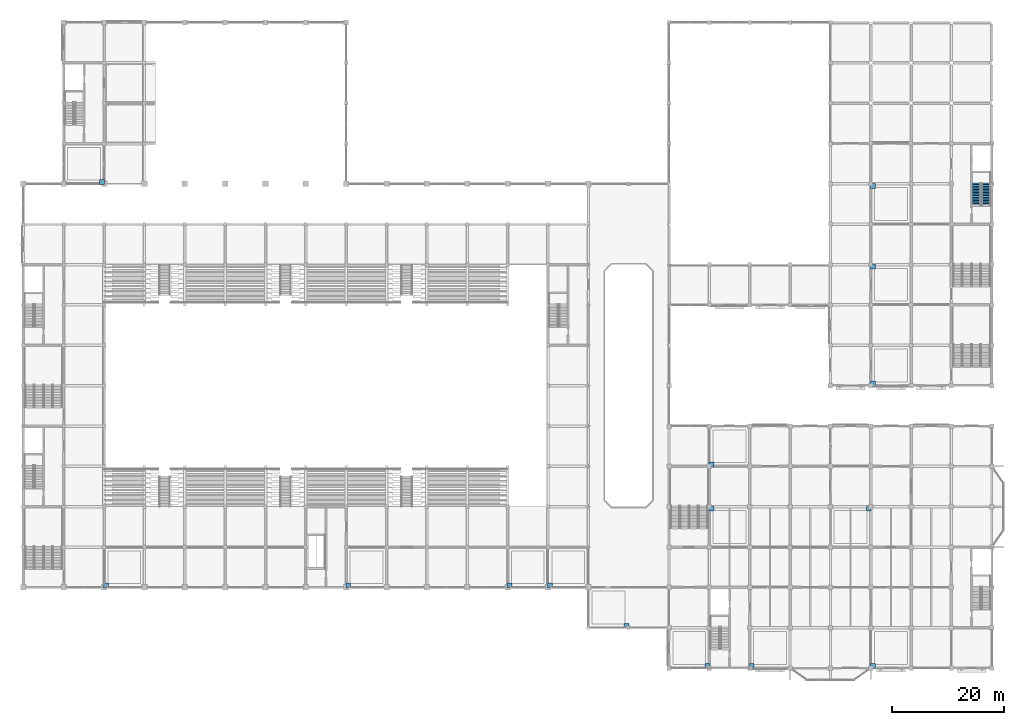
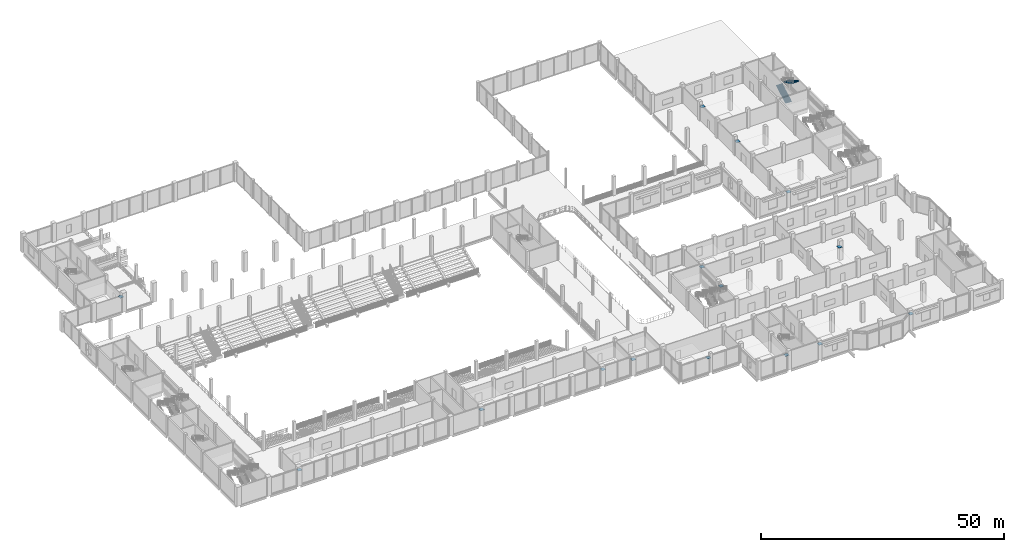
# One storey, part 74 of 99: 15 discrete accessories, 2 stair flights, 1 element without a shape of its own.
"""IFC4 building model written with IfcOpenShell, lengths in metres."""

from ifc_helpers import new_model, si_unit, direction, frame, origin, origin_2d, place, context, subcontext, project, spatial, polyline, rectangle, outline, extrude, material, type_object, element, aggregate, save


model = new_model("IFC4")

# Units and contexts
model_context = context("Model", 3, precision=1e-05, world=origin(), true_north=direction((0.0, 1.0)))
body_context = subcontext(model_context, "Body", "Model", "MODEL_VIEW")
ifc_project = project(units=[si_unit("LENGTHUNIT", "METRE"), si_unit("AREAUNIT", "SQUARE_METRE"), si_unit("VOLUMEUNIT", "CUBIC_METRE"), si_unit("PLANEANGLEUNIT", "RADIAN"), si_unit("MASSUNIT", "GRAM", prefix="KILO")], contexts=[model_context])

# Site, building, storey
site_placement = place(None, origin())
site = spatial("IfcSite", under=ifc_project, at=site_placement, CompositionType="ELEMENT")
building_placement = place(site_placement, origin())
building = spatial("IfcBuilding", under=site, at=building_placement, Name="Vesperath Aquatics Centre", CompositionType="ELEMENT")
storey_placement = place(building_placement, frame((0.0, 0.0, 5.39990234375)))
storey = spatial("IfcBuildingStorey", under=building, at=storey_placement, Name="L01", CompositionType="ELEMENT", Elevation=5.39990234375)

# Stair, stair flights
ifc_material_1 = material(Name="Concrete C35", Category="concrete")
stair_type = type_object("IfcStairType", Name="ST-HT48", PredefinedType="HALF_TURN_STAIR", material=ifc_material_1)
stair_placement = place(storey_placement, origin())
stair = element("IfcStair", 1, at=stair_placement, inside=storey, type_object=stair_type, Name="Enclosed Exit Stair ST4 L01", PredefinedType="HALF_TURN_STAIR")
stair_flight_type = type_object("IfcStairFlightType", Name="SF-F48", PredefinedType="STRAIGHT", material=ifc_material_1)
stair_flight_1_placement = place(storey_placement, frame((170.070068359375, 82.6201171875, 0.0), z_axis=(0.0, 0.0, 1.0), x_axis=(0.0, 1.0, 0.0)))
stair_flight_1 = element("IfcStairFlight", 2, at=stair_flight_1_placement, type_object=stair_flight_type, Name="Stair ST4 Flight 1 L01", NumberOfRisers=15, NumberOfTreads=14, PredefinedType="STRAIGHT", RiserHeight=0.16, TreadLength=0.28, context=body_context, shape_type="SweptSolid", body=[
    extrude(outline(polyline([(0.0, 0.0), (0.0, 0.159912109375), (0.280029296875, 0.159912109375), (0.280029296875, 0.320068359375), (0.56005859375, 0.320068359375), (0.56005859375, 0.47998046875), (0.840087890625, 0.47998046875), (0.840087890625, 0.639892578125), (1.1201171875, 0.639892578125), (1.1201171875, 0.800048828125), (1.39990234375, 0.800048828125), (1.39990234375, 0.9599609375), (1.679931640625, 0.9599609375), (1.679931640625, 1.1201171875), (1.9599609375, 1.1201171875), (1.9599609375, 1.280029296875), (2.239990234375, 1.280029296875), (2.239990234375, 1.43994140625), (2.52001953125, 1.43994140625), (2.52001953125, 1.60009765625), (2.800048828125, 1.60009765625), (2.800048828125, 1.760009765625), (3.080078125, 1.760009765625), (3.080078125, 1.919921875), (3.360107421875, 1.919921875), (3.360107421875, 2.080078125), (3.639892578125, 2.080078125), (3.639892578125, 2.239990234375), (3.919921875, 2.239990234375), (3.919921875, 2.39990234375), (3.919921875, 2.03271484375), (0.362548828125, 0.0), (0.0, 0.0)])), frame((0.0, 0.719970703125, 0.0), z_axis=(0.0, -1.0, 0.0), x_axis=(1.0, 0.0, 0.0)), (0.0, 0.0, 1.0), 1.43994140625),
])
stair_flight_2_placement = place(storey_placement, frame((171.75, 86.5400390625, 2.400146484375), z_axis=(0.0, 0.0, 1.0), x_axis=(0.0, -1.0, 0.0)))
stair_flight_2 = element("IfcStairFlight", 3, at=stair_flight_2_placement, type_object=stair_flight_type, Name="Stair ST4 Flight 2 L01", NumberOfRisers=15, NumberOfTreads=14, PredefinedType="STRAIGHT", RiserHeight=0.16, TreadLength=0.28, context=body_context, shape_type="SweptSolid", body=[
    extrude(outline(polyline([(0.0, 0.0), (0.0, 0.159912109375), (0.280029296875, 0.159912109375), (0.280029296875, 0.320068359375), (0.56005859375, 0.320068359375), (0.56005859375, 0.47998046875), (0.840087890625, 0.47998046875), (0.840087890625, 0.639892578125), (1.1201171875, 0.639892578125), (1.1201171875, 0.800048828125), (1.39990234375, 0.800048828125), (1.39990234375, 0.9599609375), (1.679931640625, 0.9599609375), (1.679931640625, 1.1201171875), (1.9599609375, 1.1201171875), (1.9599609375, 1.280029296875), (2.239990234375, 1.280029296875), (2.239990234375, 1.43994140625), (2.52001953125, 1.43994140625), (2.52001953125, 1.60009765625), (2.800048828125, 1.60009765625), (2.800048828125, 1.760009765625), (3.080078125, 1.760009765625), (3.080078125, 1.919921875), (3.360107421875, 1.919921875), (3.360107421875, 2.080078125), (3.639892578125, 2.080078125), (3.639892578125, 2.239990234375), (3.919921875, 2.239990234375), (3.919921875, 2.39990234375), (3.919921875, 2.03271484375), (0.362548828125, 0.0), (0.0, 0.0)])), frame((0.0, 0.719970703125, 0.0), z_axis=(0.0, -1.0, 0.0), x_axis=(1.0, 0.0, 0.0)), (0.0, 0.0, 1.0), 1.43994140625),
])
aggregate(stair, [stair_flight_1, stair_flight_2])

# Discrete accessories
ifc_material_2 = material(Name="Stainless steel facade anchor bracket", Category="steel")
discrete_accessory_type = type_object("IfcDiscreteAccessoryType", Name="DA-BRK01", PredefinedType="BRACKET", material=ifc_material_2)
for number, where, z_axis, x_axis, name in (
    (4, (14.760009765625, 14.760009765625, 3.419921875), (0.0, 0.0, 1.0), (1.0, 0.0, 0.0), "Ceiling Perimeter Suspension Bracket BK01 L01_KIOSK_S1"),
    (5, (57.9599609375, 14.760009765625, 3.419921875), (0.0, 0.0, 1.0), (1.0, 0.0, 0.0), "Ceiling Perimeter Suspension Bracket BK01 L01_KIOSK_S2"),
    (6, (86.760009765625, 14.760009765625, 3.419921875), (0.0, 0.0, 1.0), (1.0, 0.0, 0.0), "Ceiling Perimeter Suspension Bracket BK01 L01_SPEC_MWC"),
    (7, (93.9599609375, 14.760009765625, 3.419921875), (0.0, 0.0, 1.0), (1.0, 0.0, 0.0), "Ceiling Perimeter Suspension Bracket BK01 L01_SPEC_AWC"),
    (8, (14.0400390625, 86.760009765625, 3.419921875), (0.0, 0.0, 1.0), (1.0, 0.0, 0.0), "Ceiling Perimeter Suspension Bracket BK01 L01_DIVE_JDG"),
    (9, (107.639892578125, 7.56005859375, 3.419921875), (0.0, 0.0, 1.0), (1.0, 0.0, 0.0), "Ceiling Perimeter Suspension Bracket BK01 L01_TEA_BAR"),
    (10, (151.56005859375, 50.760009765625, 3.419921875), (0.0, 0.0, 1.0), (1.0, 0.0, 0.0), "Ceiling Perimeter Suspension Bracket BK01 L01_TEAM_M"),
    (11, (151.56005859375, 71.639892578125, 3.419921875), (0.0, 0.0, 1.0), (1.0, 0.0, 0.0), "Ceiling Perimeter Suspension Bracket BK01 L01_TEAM_F"),
    (12, (151.56005859375, 86.0400390625, 3.419921875), (0.0, 0.0, 1.0), (1.0, 0.0, 0.0), "Ceiling Perimeter Suspension Bracket BK01 L01_SPEC_FWC"),
    (13, (122.0400390625, 0.360107421875, 3.419921875), (0.0, 0.0, 1.0), (1.0, 0.0, 0.0), "Ceiling Perimeter Suspension Bracket BK01 L01_HYDRO"),
    (14, (129.9599609375, 0.360107421875, 3.419921875), (0.0, 0.0, 1.0), (1.0, 0.0, 0.0), "Ceiling Perimeter Suspension Bracket BK01 L01_PHYSIO_1"),
    (15, (151.56005859375, 0.360107421875, 3.419921875), (0.0, 0.0, 1.0), (1.0, 0.0, 0.0), "Ceiling Perimeter Suspension Bracket BK01 L01_PHYSIO_2"),
    (16, (122.760009765625, 28.43994140625, 3.419921875), (0.0, 0.0, 1.0), (1.0, 0.0, 0.0), "Ceiling Perimeter Suspension Bracket BK01 L01_TEACH_1"),
    (17, (150.840087890625, 28.43994140625, 3.419921875), (0.0, 0.0, 1.0), (1.0, 0.0, 0.0), "Ceiling Perimeter Suspension Bracket BK01 L01_TEACH_2"),
    (18, (122.760009765625, 36.360107421875, 3.419921875), (0.0, 0.0, 1.0), (1.0, 0.0, 0.0), "Ceiling Perimeter Suspension Bracket BK01 L01_REHAB_GYM"),
):
    element("IfcDiscreteAccessory", number, at=place(storey_placement, frame(where, z_axis=z_axis, x_axis=x_axis)), inside=storey, type_object=discrete_accessory_type, Name=name, PredefinedType="BRACKET", context=body_context, shape_type="SweptSolid", body=[
        extrude(rectangle(XDim=0.8798828125, YDim=0.8798828125, at=origin_2d()), origin(), (0.0, 0.0, 1.0), 0.054931640625),
    ])

save(model, "model.ifc")
